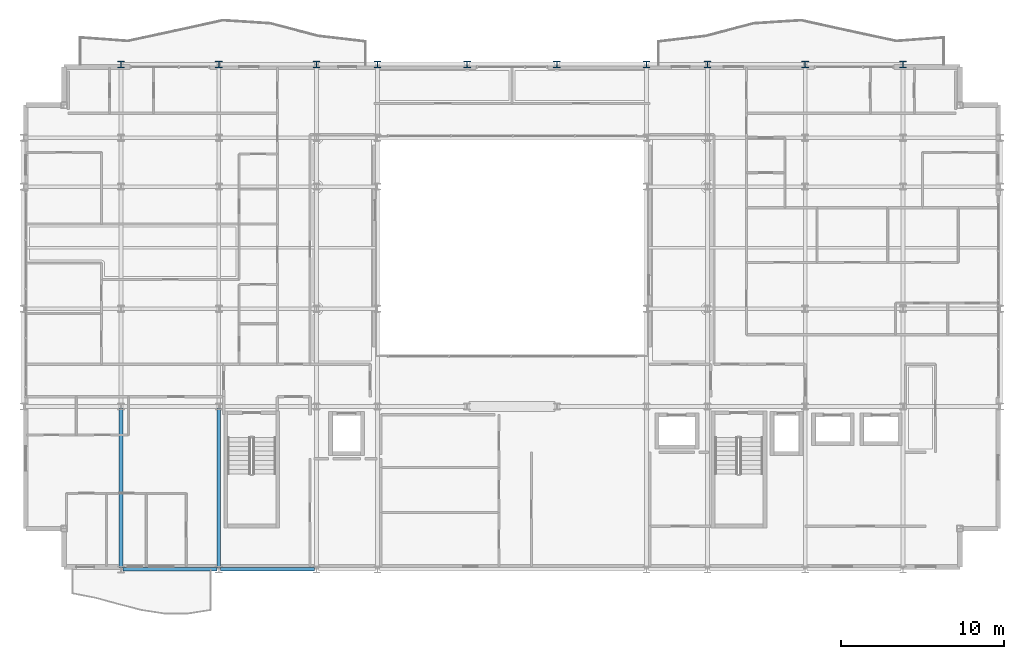
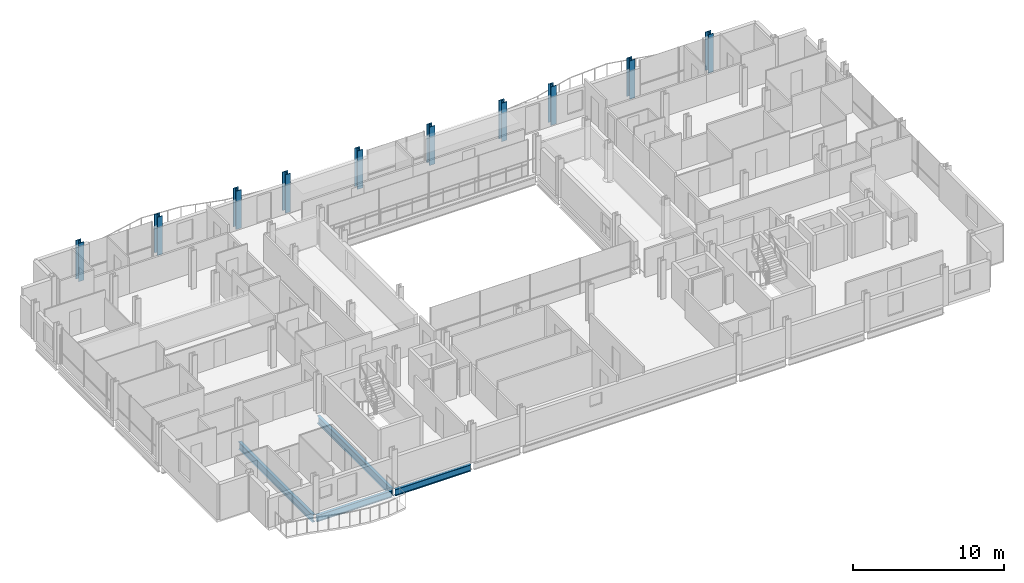
# One storey, part 3 of 41: 10 columns, 4 beams.
"""IFC4 building model written with IfcOpenShell, lengths in metres."""

from ifc_helpers import new_model, si_unit, direction, frame, origin, origin_2d, place, context, subcontext, project, spatial, i_section, extrude, material, material_profile, profile_set, type_object, element, save


model = new_model("IFC4")

# Units and contexts
model_context = context("Model", 3, precision=1e-05, world=origin(), true_north=direction((0.0, 1.0)))
body_context = subcontext(model_context, "Body", "Model", "MODEL_VIEW")
ifc_project = project(units=[si_unit("LENGTHUNIT", "METRE"), si_unit("AREAUNIT", "SQUARE_METRE"), si_unit("VOLUMEUNIT", "CUBIC_METRE"), si_unit("PLANEANGLEUNIT", "RADIAN"), si_unit("MASSUNIT", "GRAM", prefix="KILO")], contexts=[model_context])

# Site, building, storey
site_placement = place(None, origin())
site = spatial("IfcSite", under=ifc_project, at=site_placement, CompositionType="ELEMENT")
building_placement = place(site_placement, origin())
building = spatial("IfcBuilding", under=site, at=building_placement, Name="Brevholm Reach", CompositionType="ELEMENT")
storey_placement = place(building_placement, frame((0.0, 0.0, 163.5)))
storey = spatial("IfcBuildingStorey", under=building, at=storey_placement, Name="L49", CompositionType="ELEMENT", Elevation=163.5)

# Columns
ifc_material_1 = material(Name="Structural Steel S355J2", Category="steel")
ifc_material_profile_1 = material_profile(ifc_material_1, i_section(OverallWidth=0.406982421875, OverallDepth=0.4189453125, WebThickness=0.030517578125, FlangeThickness=0.04931640625, FilletRadius=0.01513671875, at=origin_2d()), Name="UKC 356x406x393")
ifc_profile_set_1 = profile_set([ifc_material_profile_1], Name="Structural Steel S355J2")
column_type = type_object("IfcColumnType", Name="COL-UC4", PredefinedType="COLUMN", material=ifc_profile_set_1)
for number, where, z_axis, x_axis, name in (
    (1, (6.0, 31.0, 0.0), (0.0, 0.0, 1.0), (1.0, 0.0, 0.0), "L49 Column 12"),
    (2, (12.0, 31.0, 0.0), (0.0, 0.0, 1.0), (1.0, 0.0, 0.0), "L49 Column 18"),
    (3, (18.0, 31.0, 0.0), (0.0, 0.0, 1.0), (1.0, 0.0, 0.0), "L49 Column 24"),
    (4, (21.75, 31.0, 0.0), (0.0, 0.0, 1.0), (1.0, 0.0, 0.0), "L49 Column 30"),
    (5, (27.25, 31.0, 0.0), (0.0, 0.0, 1.0), (1.0, 0.0, 0.0), "L49 Column 32"),
    (6, (32.75, 31.0, 0.0), (0.0, 0.0, 1.0), (1.0, 0.0, 0.0), "L49 Column 34"),
    (7, (38.25, 31.0, 0.0), (0.0, 0.0, 1.0), (1.0, 0.0, 0.0), "L49 Column 40"),
    (8, (42.0, 31.0, 0.0), (0.0, 0.0, 1.0), (1.0, 0.0, 0.0), "L49 Column 46"),
    (9, (48.0, 31.0, 0.0), (0.0, 0.0, 1.0), (1.0, 0.0, 0.0), "L49 Column 52"),
    (10, (54.0, 31.0, 0.0), (0.0, 0.0, 1.0), (1.0, 0.0, 0.0), "L49 Column 58"),
):
    element("IfcColumn", number, at=place(storey_placement, frame(where, z_axis=z_axis, x_axis=x_axis)), inside=storey, type_object=column_type, Name=name, PredefinedType="COLUMN", context=body_context, shape_type="SweptSolid", body=[
        extrude(i_section(OverallWidth=0.406982421875, OverallDepth=0.4189453125, WebThickness=0.030517578125, FlangeThickness=0.04931640625, FilletRadius=0.01513671875, at=origin_2d()), origin(), (0.0, 0.0, 1.0), 3.10009765625),
    ])

# Beams
ifc_material_2 = material(Name="Structural Steel S355J2", Category="steel")
ifc_material_profile_2 = material_profile(ifc_material_2, i_section(OverallWidth=0.209228515625, OverallDepth=0.533203125, WebThickness=0.010009765625, FlangeThickness=0.015625, FilletRadius=0.0126953125, at=origin_2d()), Name="UKB 533x210x92")
ifc_profile_set_2 = profile_set([ifc_material_profile_2], Name="Structural Steel S355J2")
beam_type_1 = type_object("IfcBeamType", Name="BM-SP533", PredefinedType="SPANDREL", material=ifc_profile_set_2)
for number, where, z_axis, x_axis, name in (
    (11, (6.1201171875, 0.0, -0.486572265625), (1.0, 0.0, 0.0), (0.0, 1.0, 0.0), "L49 SP-02 Framing Beam"),
    (12, (12.1201171875, 0.0, -0.486572265625), (1.0, 0.0, 0.0), (0.0, 1.0, 0.0), "L49 SP-02 Framing Beam"),
):
    element("IfcBeam", number, at=place(storey_placement, frame(where, z_axis=z_axis, x_axis=x_axis)), inside=storey, type_object=beam_type_1, Name=name, PredefinedType="SPANDREL", context=body_context, shape_type="SweptSolid", body=[
        extrude(i_section(OverallWidth=0.209228515625, OverallDepth=0.533203125, WebThickness=0.010009765625, FlangeThickness=0.015625, FilletRadius=0.0126953125, at=origin_2d()), origin(), (0.0, 0.0, 1.0), 5.759765625),
    ])
ifc_material_3 = material(Name="Structural Steel S355J2", Category="steel")
ifc_material_profile_3 = material_profile(ifc_material_3, i_section(OverallWidth=0.22900390625, OverallDepth=0.6123046875, WebThickness=0.011962890625, FlangeThickness=0.01953125, FilletRadius=0.0126953125, at=origin_2d()), Name="UKB 610x229x125")
ifc_profile_set_3 = profile_set([ifc_material_profile_3], Name="Structural Steel S355J2")
beam_type_2 = type_object("IfcBeamType", Name="BM-SP610", PredefinedType="SPANDREL", material=ifc_profile_set_3)
for number, where, z_axis, x_axis, name in (
    (13, (6.0, 0.1201171875, -0.526123046875), (0.0, 1.0, 0.0), (-1.0, 0.0, 0.0), "L49 SP-01 Framing Beam"),
    (14, (12.0, 0.1201171875, -0.526123046875), (0.0, 1.0, 0.0), (-1.0, 0.0, 0.0), "L49 SP-01 Framing Beam"),
):
    element("IfcBeam", number, at=place(storey_placement, frame(where, z_axis=z_axis, x_axis=x_axis)), inside=storey, type_object=beam_type_2, Name=name, PredefinedType="SPANDREL", context=body_context, shape_type="SweptSolid", body=[
        extrude(i_section(OverallWidth=0.22900390625, OverallDepth=0.6123046875, WebThickness=0.011962890625, FlangeThickness=0.01953125, FilletRadius=0.0126953125, at=origin_2d()), origin(), (0.0, 0.0, 1.0), 9.759765625),
    ])

save(model, "model.ifc")
